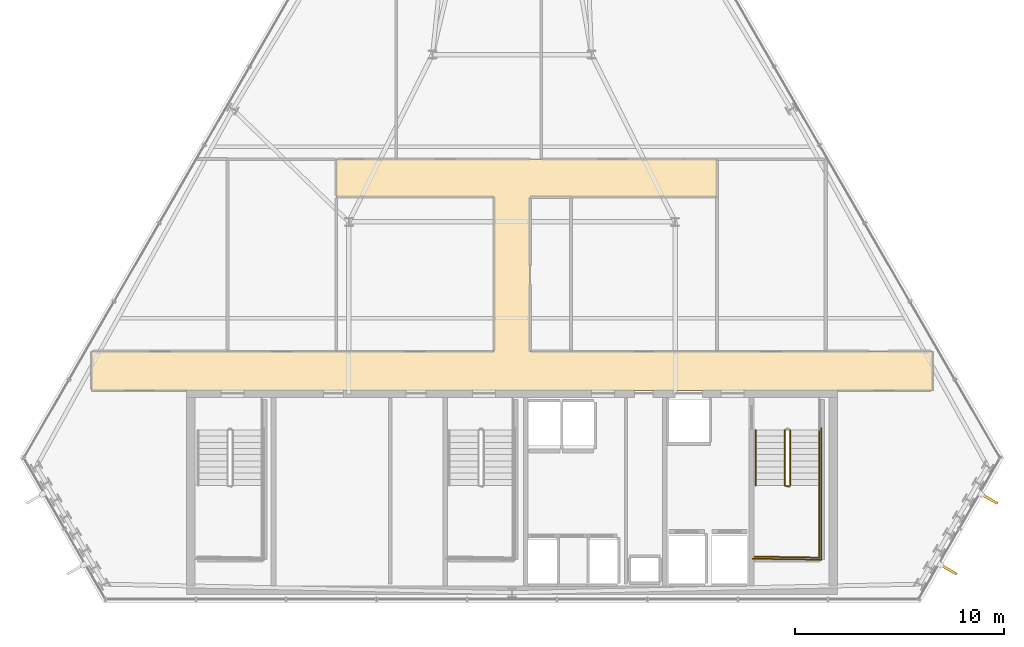
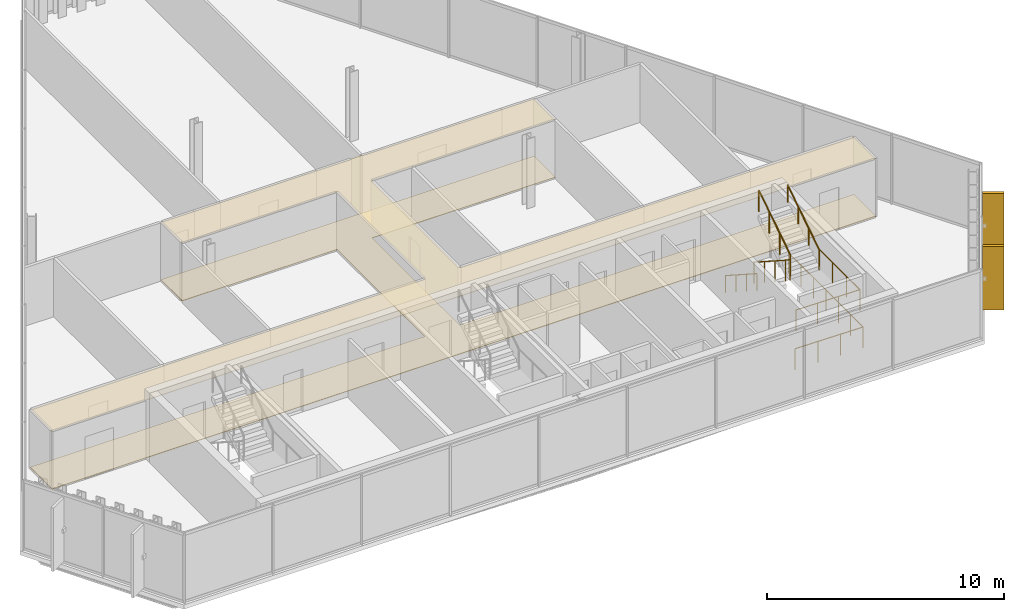
# One storey, part 28 of 30: 6 railings, 2 coverings, 2 shading devices.
"""IFC4 building model written with IfcOpenShell, lengths in metres."""

import ifcopenshell
import ifcopenshell.guid

model = None  # the IFC model being written
_history = None  # IfcOwnerHistory: only IFC2X3 demands one
_inside = {}  # id of a spatial element -> (the spatial element, [elements in it])
_under = {}  # id of a project, library or spatial element -> (it, [spatial elements below it])
_declared = {}  # id of a project -> (the project, [libraries it declares])
_typed = {}  # id of a type object -> (the type object, [elements of that type])
_made_of = {}  # id of a material, layer set ... -> (it, [elements and type objects made of it])


def new_model(schema):
    """Start an empty IFC model of exactly this schema.

    Asked for "IFC4X3", IfcOpenShell would pick the latest addendum, in which some entities
    have other attributes; the version numbers below select the first issue.
    IFC2X3 requires an IfcOwnerHistory on every rooted entity: one is made here for all.
    """
    global model, _history
    if schema == "IFC4X3":
        model = ifcopenshell.file(schema_version=(4, 3, 0, 0))
    else:
        model = ifcopenshell.file(schema=schema)
    _inside.clear()
    _under.clear()
    _declared.clear()
    _typed.clear()
    _made_of.clear()
    _history = None
    if model.schema == "IFC2X3":
        org = make("IfcOrganization", Name="unknown")
        user = make(
            "IfcPersonAndOrganization",
            ThePerson=make("IfcPerson", FamilyName="unknown"),
            TheOrganization=org,
        )
        app = make(
            "IfcApplication",
            ApplicationDeveloper=org,
            Version="unknown",
            ApplicationFullName="unknown",
            ApplicationIdentifier="unknown",
        )
        _history = make(
            "IfcOwnerHistory",
            OwningUser=user,
            OwningApplication=app,
            ChangeAction="ADDED",
            CreationDate=0,
        )
    return model


def make(cls, **values):
    """One entity of the class cls with the attributes given. An attribute that is None is left unset."""
    return model.create_entity(
        cls, **{name: value for name, value in values.items() if value is not None}
    )


def rooted(cls, **values):
    """An entity with a GlobalId (a new one), such as an element, a storey or a relation."""
    return make(cls, GlobalId=ifcopenshell.guid.new(), OwnerHistory=_history, **values)


def si_unit(unit_type, name, prefix=None):
    """IfcSIUnit, for example si_unit("LENGTHUNIT", "METRE", prefix="MILLI")."""
    return make("IfcSIUnit", UnitType=unit_type, Prefix=prefix, Name=name)


def assignment(units):
    """IfcUnitAssignment: the units of a project."""
    return None if units is None else make("IfcUnitAssignment", Units=units)


def point(xyz):
    """IfcCartesianPoint."""
    return None if xyz is None else make("IfcCartesianPoint", Coordinates=xyz)


def direction(xyz):
    """IfcDirection."""
    return None if xyz is None else make("IfcDirection", DirectionRatios=xyz)


def frame(location, z_axis=None, x_axis=None):
    """IfcAxis2Placement3D, a coordinate frame: its origin and axes. An axis left out is left unset."""
    return make(
        "IfcAxis2Placement3D",
        Location=point(location),
        Axis=direction(z_axis),
        RefDirection=direction(x_axis),
    )


def frame_2d(location, x_axis=None):
    """IfcAxis2Placement2D, a coordinate frame in the plane: its origin and x axis."""
    return make(
        "IfcAxis2Placement2D", Location=point(location), RefDirection=direction(x_axis)
    )


def origin():
    """The frame at (0, 0, 0) with its axes left unset."""
    return frame((0.0, 0.0, 0.0))


def origin_2d():
    """The frame at (0, 0) in the plane with its x axis left unset."""
    return frame_2d((0.0, 0.0))


def place(relative_to, where):
    """IfcLocalPlacement: puts the frame where relative to a parent placement (None: the world)."""
    return make(
        "IfcLocalPlacement", PlacementRelTo=relative_to, RelativePlacement=where
    )


def context(
    kind, dimensions, precision=None, world=None, true_north=None, identifier=None
):
    """IfcGeometricRepresentationContext, for example the 3D "Model" context."""
    return make(
        "IfcGeometricRepresentationContext",
        ContextIdentifier=identifier,
        ContextType=kind,
        CoordinateSpaceDimension=dimensions,
        Precision=precision,
        WorldCoordinateSystem=world,
        TrueNorth=true_north,
    )


def subcontext(parent, identifier, kind, view, scale=None):
    """IfcGeometricRepresentationSubContext, for example "Body" below "Model"."""
    return make(
        "IfcGeometricRepresentationSubContext",
        ContextIdentifier=identifier,
        ContextType=kind,
        ParentContext=parent,
        TargetScale=scale,
        TargetView=view,
    )


def project(units=None, contexts=None):
    """IfcProject with its units and contexts."""
    return rooted(
        "IfcProject",
        Name="project",
        RepresentationContexts=contexts,
        UnitsInContext=assignment(units),
    )


def spatial(cls, under=None, at=None, **own):
    """A site, building, storey or space (cls), placed at a placement, below another one or the project."""
    s = rooted(cls, ObjectPlacement=at, **own)
    if under is not None:
        _under.setdefault(under.id(), (under, []))[1].append(s)
    return s


def polyline(points):
    """IfcPolyline through the points."""
    return make("IfcPolyline", Points=[point(p) for p in points])


def profile(cls, at=None, kind="AREA", **sizes):
    """A parametric profile (cls). Its sizes go by their IFC names, for example OverallWidth=200.0."""
    return make(cls, ProfileType=kind, Position=at, **sizes)


def rectangle(**sizes):
    """IfcRectangleProfileDef."""
    return profile("IfcRectangleProfileDef", **sizes)


def circle(**sizes):
    """IfcCircleProfileDef."""
    return profile("IfcCircleProfileDef", **sizes)


def outline(outer, holes=None, kind="AREA"):
    """IfcArbitraryClosedProfileDef: a profile drawn as a closed curve; with holes, ...WithVoids."""
    if holes is None:
        return make("IfcArbitraryClosedProfileDef", ProfileType=kind, OuterCurve=outer)
    return make(
        "IfcArbitraryProfileDefWithVoids",
        ProfileType=kind,
        OuterCurve=outer,
        InnerCurves=holes,
    )


def extrude(swept, where, along, depth):
    """IfcExtrudedAreaSolid: the profile swept, set in the frame where, extruded along a direction by depth."""
    return make(
        "IfcExtrudedAreaSolid",
        SweptArea=swept,
        Position=where,
        ExtrudedDirection=direction(along),
        Depth=depth,
    )


def shape(context_of_items, identifier, shape_type, items):
    """IfcShapeRepresentation: the items that make up one representation, for example the "Body"."""
    return make(
        "IfcShapeRepresentation",
        ContextOfItems=context_of_items,
        RepresentationIdentifier=identifier,
        RepresentationType=shape_type,
        Items=items,
    )


def material(Name=None, Category=None):
    """IfcMaterial."""
    return make("IfcMaterial", Name=Name, Category=Category)


def layer(
    of_material, thickness, ventilated=None, Name=None, Category=None, Priority=None
):
    """IfcMaterialLayer: one layer of a wall or slab, of a material (None: an air gap)."""
    return make(
        "IfcMaterialLayer",
        Material=of_material,
        LayerThickness=thickness,
        IsVentilated=ventilated,
        Name=Name,
        Category=Category,
        Priority=Priority,
    )


def layer_set(layers, Name=None):
    """IfcMaterialLayerSet."""
    return make("IfcMaterialLayerSet", MaterialLayers=layers, LayerSetName=Name)


def made_of(thing, what):
    """Note that an element or type object is made of a material, layer set ...; save() writes the relation."""
    if what is not None:
        _made_of.setdefault(what.id(), (what, []))[1].append(thing)
    return thing


def type_object(cls, material=None, **own):
    """A type object (cls), such as IfcWallType, which elements share."""
    return made_of(rooted(cls, **own), material)


def element(
    cls,
    number,
    at=None,
    inside=None,
    cuts=None,
    type_object=None,
    material=None,
    context=None,
    identifier="Body",
    shape_type=None,
    held_by="IfcProductDefinitionShape",
    body=None,
    shapes=None,
    **own,
):
    """One element of the class cls, such as IfcWall. Its Tag is "e" and its number.

    at: its placement. inside: the storey or other place that contains it. cuts: it is an
    opening in that element (IfcRelVoidsElement). A single representation is given by context,
    identifier, shape_type and body (its items); several are given by shapes. held_by: the class
    of the entity that holds the representations. save() writes the other relations.
    """
    e = rooted(cls, Tag="e%d" % number, ObjectPlacement=at, **own)
    if body is not None:
        shapes = [shape(context, identifier, shape_type, body)]
    if shapes is not None:
        e.Representation = make(held_by, Representations=shapes)
    if inside is not None:
        _inside.setdefault(inside.id(), (inside, []))[1].append(e)
    if cuts is not None:
        rooted(
            "IfcRelVoidsElement", RelatingBuildingElement=cuts, RelatedOpeningElement=e
        )
    if type_object is not None:
        _typed.setdefault(type_object.id(), (type_object, []))[1].append(e)
    return made_of(e, material)


def aggregate(whole, parts):
    """IfcRelAggregates: a whole, such as a stair, and the parts it consists of."""
    return rooted("IfcRelAggregates", RelatingObject=whole, RelatedObjects=parts)


def save(model, path):
    """Write the relations noted so far, then the file.

    IfcRelAggregates (storeys below a building ...), IfcRelContainedInSpatialStructure (elements
    in a storey), IfcRelDefinesByType, IfcRelAssociatesMaterial and IfcRelDeclares: one each for
    every whole, place, type object, material and project.
    """
    for whole, parts in _under.values():
        aggregate(whole, parts)
    for where, things in _inside.values():
        rooted(
            "IfcRelContainedInSpatialStructure",
            RelatedElements=things,
            RelatingStructure=where,
        )
    for kind, things in _typed.values():
        rooted("IfcRelDefinesByType", RelatedObjects=things, RelatingType=kind)
    for what, things in _made_of.values():
        rooted("IfcRelAssociatesMaterial", RelatedObjects=things, RelatingMaterial=what)
    for by, libraries in _declared.values():
        rooted("IfcRelDeclares", RelatingContext=by, RelatedDefinitions=libraries)
    model.write(path)


model = new_model("IFC4")

# Units and contexts
model_context = context("Model", 3, precision=1e-05, world=origin(), true_north=direction((0.0, 1.0)))
body_context = subcontext(model_context, "Body", "Model", "MODEL_VIEW")
ifc_project = project(units=[si_unit("LENGTHUNIT", "METRE"), si_unit("AREAUNIT", "SQUARE_METRE"), si_unit("VOLUMEUNIT", "CUBIC_METRE"), si_unit("PLANEANGLEUNIT", "RADIAN"), si_unit("MASSUNIT", "GRAM", prefix="KILO")], contexts=[model_context])

# Site, building, storey
site_placement = place(None, origin())
site = spatial("IfcSite", under=ifc_project, at=site_placement, CompositionType="ELEMENT")
building_placement = place(site_placement, origin())
building = spatial("IfcBuilding", under=site, at=building_placement, Name="Ndaravel Arena Tower", CompositionType="ELEMENT")
storey_placement = place(building_placement, frame((0.0, 0.0, 221.800048828125)))
storey = spatial("IfcBuildingStorey", under=building, at=storey_placement, Name="L53", CompositionType="ELEMENT", Elevation=221.800048828125)

# Coverings
ifc_material_1 = material(Name="Acoustic Ceiling Tile", Category="finish")
ifc_layer_1 = layer(ifc_material_1, 0.02490234375)
ifc_layer_set_1 = layer_set([ifc_layer_1], Name="Acoustic Ceiling Tile")
covering_type_1 = type_object("IfcCoveringType", Name="COV-CEIL-AC600", PredefinedType="CEILING", material=ifc_layer_set_1)
covering_1_placement = place(storey_placement, frame((0.0, 0.0, 2.98046875)))
element("IfcCovering", 1, at=covering_1_placement, inside=storey, type_object=covering_type_1, Name="L53 Corridor Acoustic Ceiling", PredefinedType="CEILING", context=body_context, shape_type="SweptSolid", body=[
    extrude(outline(polyline([(62.091064453125, 17.0), (42.85009765625, 17.0), (42.85009765625, 24.39990234375), (51.800048828125, 24.39990234375), (51.800048828125, 26.199951171875), (42.85009765625, 26.199951171875), (41.14990234375, 26.199951171875), (33.60009765625, 26.199951171875), (33.60009765625, 24.39990234375), (41.14990234375, 24.39990234375), (41.14990234375, 17.0), (21.908935546875, 17.0), (21.908935546875, 15.14990234375), (62.091064453125, 15.14990234375), (62.091064453125, 17.0)])), origin(), (0.0, 0.0, 1.0), 0.02490234375),
])
ifc_material_2 = material(Name="Terrazzo", Category="stone")
ifc_layer_2 = layer(ifc_material_2, 0.030029296875)
ifc_layer_set_2 = layer_set([ifc_layer_2], Name="Terrazzo")
covering_type_2 = type_object("IfcCoveringType", Name="COV-FLOOR-TERRAZZO", PredefinedType="FLOORING", material=ifc_layer_set_2)
covering_2_placement = place(storey_placement, origin())
element("IfcCovering", 2, at=covering_2_placement, inside=storey, type_object=covering_type_2, Name="L53 Corridor Terrazzo Flooring", PredefinedType="FLOORING", context=body_context, shape_type="SweptSolid", body=[
    extrude(outline(polyline([(62.091064453125, 17.0), (42.85009765625, 17.0), (42.85009765625, 24.39990234375), (51.800048828125, 24.39990234375), (51.800048828125, 26.199951171875), (42.85009765625, 26.199951171875), (41.14990234375, 26.199951171875), (33.60009765625, 26.199951171875), (33.60009765625, 24.39990234375), (41.14990234375, 24.39990234375), (41.14990234375, 17.0), (21.908935546875, 17.0), (21.908935546875, 15.14990234375), (62.091064453125, 15.14990234375), (62.091064453125, 17.0)])), origin(), (0.0, 0.0, 1.0), 0.030029296875),
])

# Railings
ifc_material_3 = material(Name="Steel S355", Category="steel")
ifc_layer_3 = layer(ifc_material_3, 0.06005859375)
ifc_layer_set_3 = layer_set([ifc_layer_3], Name="Steel S355")
railing_type_1 = type_object("IfcRailingType", Name="RAIL-STAIR-GD1100", PredefinedType="GUARDRAIL", material=ifc_layer_set_3)
railing_1_placement = place(storey_placement, frame((55.050048828125, 13.25, 0.18994140625)))
element("IfcRailing", 3, at=railing_1_placement, inside=storey, type_object=railing_type_1, Name="L53 ST-3 stair guard 1", PredefinedType="GUARDRAIL", context=body_context, shape_type="SweptSolid", body=[
    extrude(circle(Radius=0.02392578125, at=origin_2d()), frame((0.0, 0.0, 1.076171875), z_axis=(0.0, -0.840723540582, 0.54146461409), x_axis=(1.0, 0.0, 0.0)), (0.0, 0.0, 1.0), 3.157958984375),
    extrude(circle(Radius=0.02392578125, at=origin_2d()), frame((0.0, -2.655029296875, 2.7861328125), z_axis=(0.966993988697, -0.254799187253, 0.0), x_axis=(0.254799187253, 0.966993988697, 0.0)), (0.0, 0.0, 1.0), 0.196533203125),
    extrude(circle(Radius=0.02099609375, at=origin_2d()), origin(), (0.0, 0.0, 1.0), 1.052001953125),
    extrude(circle(Radius=0.02099609375, at=origin_2d()), frame((0.0, -0.885009765625, 0.570068359375)), (0.0, 0.0, 1.0), 1.052001953125),
    extrude(circle(Radius=0.02099609375, at=origin_2d()), frame((0.0, -1.77001953125, 1.139892578125)), (0.0, 0.0, 1.0), 1.052001953125),
    extrude(circle(Radius=0.02099609375, at=origin_2d()), frame((0.0, -2.655029296875, 1.7099609375)), (0.0, 0.0, 1.0), 1.052001953125),
    extrude(circle(Radius=0.02099609375, at=origin_2d()), frame((0.18994140625, -2.705078125, 1.7099609375)), (0.0, 0.0, 1.0), 1.052001953125),
])
railing_2_placement = place(storey_placement, frame((56.68994140625, 10.594970703125, 1.89990234375)))
element("IfcRailing", 4, at=railing_2_placement, inside=storey, type_object=railing_type_1, Name="L53 ST-3 stair guard 2", PredefinedType="GUARDRAIL", context=body_context, shape_type="SweptSolid", body=[
    extrude(circle(Radius=0.02392578125, at=origin_2d()), frame((0.0, 0.0, 1.076171875), z_axis=(0.0, -1.0, 0.0), x_axis=(1.0, 0.0, 0.0)), (0.0, 0.0, 1.0), 3.445068359375),
    extrude(circle(Radius=0.02392578125, at=origin_2d()), frame((0.0, -3.445068359375, 1.076171875), z_axis=(-0.999868840623, 0.016195726322, 0.0), x_axis=(-0.016195726322, -0.999868840623, 0.0)), (0.0, 0.0, 1.0), 3.09033203125),
    extrude(circle(Radius=0.02099609375, at=origin_2d()), origin(), (0.0, 0.0, 1.0), 1.052001953125),
    extrude(circle(Radius=0.02099609375, at=origin_2d()), frame((0.0, -1.1484375, 0.0)), (0.0, 0.0, 1.0), 1.052001953125),
    extrude(circle(Radius=0.02099609375, at=origin_2d()), frame((0.0, -2.296630859375, 0.0)), (0.0, 0.0, 1.0), 1.052001953125),
    extrude(circle(Radius=0.02099609375, at=origin_2d()), frame((0.0, -3.445068359375, 0.0)), (0.0, 0.0, 1.0), 1.052001953125),
    extrude(circle(Radius=0.02099609375, at=origin_2d()), frame((-1.030029296875, -3.428466796875, 0.0)), (0.0, 0.0, 1.0), 1.052001953125),
    extrude(circle(Radius=0.02099609375, at=origin_2d()), frame((-2.059814453125, -3.41162109375, 0.0)), (0.0, 0.0, 1.0), 1.052001953125),
    extrude(circle(Radius=0.02099609375, at=origin_2d()), frame((-3.08984375, -3.39501953125, 0.0)), (0.0, 0.0, 1.0), 1.052001953125),
])
railing_3_placement = place(storey_placement, frame((55.2900390625, 10.594970703125, 2.08984375)))
element("IfcRailing", 5, at=railing_3_placement, inside=storey, type_object=railing_type_1, Name="L53 ST-3 stair guard 3", PredefinedType="GUARDRAIL", context=body_context, shape_type="SweptSolid", body=[
    extrude(circle(Radius=0.02392578125, at=origin_2d()), frame((0.0, 0.0, 1.076171875), z_axis=(0.0, 0.840688348013, 0.541519253134), x_axis=(-1.0, 0.0, 0.0)), (0.0, 0.0, 1.0), 3.158203125),
    extrude(circle(Radius=0.02099609375, at=origin_2d()), origin(), (0.0, 0.0, 1.0), 1.052001953125),
    extrude(circle(Radius=0.02099609375, at=origin_2d()), frame((0.0, 0.885009765625, 0.570068359375)), (0.0, 0.0, 1.0), 1.052001953125),
    extrude(circle(Radius=0.02099609375, at=origin_2d()), frame((0.0, 1.77001953125, 1.14013671875)), (0.0, 0.0, 1.0), 1.052001953125),
    extrude(circle(Radius=0.02099609375, at=origin_2d()), frame((0.0, 2.655029296875, 1.710205078125)), (0.0, 0.0, 1.0), 1.052001953125),
])
railing_4_placement = place(storey_placement, frame((56.7900390625, 13.35009765625, 0.0)))
element("IfcRailing", 6, at=railing_4_placement, inside=storey, type_object=railing_type_1, Name="L53 ST-3 stair guard 6", PredefinedType="GUARDRAIL", context=body_context, shape_type="SweptSolid", body=[
    extrude(circle(Radius=0.02392578125, at=origin_2d()), frame((0.0, 0.0, 1.076171875), z_axis=(0.0, -1.0, 0.0), x_axis=(1.0, 0.0, 0.0)), (0.0, 0.0, 1.0), 6.300048828125),
    extrude(circle(Radius=0.02392578125, at=origin_2d()), frame((0.0, -6.300048828125, 1.076171875), z_axis=(-0.99988431412, 0.015210469308, 0.0), x_axis=(-0.015210469308, -0.99988431412, 0.0)), (0.0, 0.0, 1.0), 3.29052734375),
    extrude(circle(Radius=0.02099609375, at=origin_2d()), origin(), (0.0, 0.0, 1.0), 1.052001953125),
    extrude(circle(Radius=0.02099609375, at=origin_2d()), frame((0.0, -1.050048828125, 0.0)), (0.0, 0.0, 1.0), 1.052001953125),
    extrude(circle(Radius=0.02099609375, at=origin_2d()), frame((0.0, -2.10009765625, 0.0)), (0.0, 0.0, 1.0), 1.052001953125),
    extrude(circle(Radius=0.02099609375, at=origin_2d()), frame((0.0, -3.14990234375, 0.0)), (0.0, 0.0, 1.0), 1.052001953125),
    extrude(circle(Radius=0.02099609375, at=origin_2d()), frame((0.0, -4.199951171875, 0.0)), (0.0, 0.0, 1.0), 1.052001953125),
    extrude(circle(Radius=0.02099609375, at=origin_2d()), frame((0.0, -5.25, 0.0)), (0.0, 0.0, 1.0), 1.052001953125),
    extrude(circle(Radius=0.02099609375, at=origin_2d()), frame((0.0, -6.300048828125, 0.0)), (0.0, 0.0, 1.0), 1.052001953125),
    extrude(circle(Radius=0.02099609375, at=origin_2d()), frame((-1.0966796875, -6.283447265625, 0.0)), (0.0, 0.0, 1.0), 1.052001953125),
    extrude(circle(Radius=0.02099609375, at=origin_2d()), frame((-2.193359375, -6.2666015625, 0.0)), (0.0, 0.0, 1.0), 1.052001953125),
    extrude(circle(Radius=0.02099609375, at=origin_2d()), frame((-3.2900390625, -6.25, 0.0)), (0.0, 0.0, 1.0), 1.052001953125),
])
ifc_material_4 = material(Name="Steel S355", Category="steel")
ifc_layer_4 = layer(ifc_material_4, 0.050048828125)
ifc_layer_set_4 = layer_set([ifc_layer_4], Name="Steel S355")
railing_type_2 = type_object("IfcRailingType", Name="RAIL-STAIR-HR920", PredefinedType="HANDRAIL", material=ifc_layer_set_4)
railing_5_placement = place(storey_placement, frame((53.64990234375, 13.25, 0.18994140625)))
element("IfcRailing", 7, at=railing_5_placement, inside=storey, type_object=railing_type_2, Name="L53 ST-3 stair handrail 1", PredefinedType="HANDRAIL", context=body_context, shape_type="SweptSolid", body=[
    extrude(circle(Radius=0.02392578125, at=origin_2d()), frame((0.0, 0.0, 0.8759765625), z_axis=(0.0, -0.840723540582, 0.54146461409), x_axis=(1.0, 0.0, 0.0)), (0.0, 0.0, 1.0), 3.157958984375),
    extrude(circle(Radius=0.02099609375, at=origin_2d()), origin(), (0.0, 0.0, 1.0), 0.851806640625),
    extrude(circle(Radius=0.02099609375, at=origin_2d()), frame((0.0, -0.885009765625, 0.570068359375)), (0.0, 0.0, 1.0), 0.851806640625),
    extrude(circle(Radius=0.02099609375, at=origin_2d()), frame((0.0, -1.77001953125, 1.139892578125)), (0.0, 0.0, 1.0), 0.851806640625),
    extrude(circle(Radius=0.02099609375, at=origin_2d()), frame((0.0, -2.655029296875, 1.7099609375)), (0.0, 0.0, 1.0), 0.851806640625),
])
railing_6_placement = place(storey_placement, frame((56.68994140625, 10.594970703125, 2.08984375)))
element("IfcRailing", 8, at=railing_6_placement, inside=storey, type_object=railing_type_2, Name="L53 ST-3 stair handrail 2", PredefinedType="HANDRAIL", context=body_context, shape_type="SweptSolid", body=[
    extrude(circle(Radius=0.02392578125, at=origin_2d()), frame((0.0, 0.0, 0.8759765625), z_axis=(0.0, 0.840688348013, 0.541519253134), x_axis=(-1.0, 0.0, 0.0)), (0.0, 0.0, 1.0), 3.158203125),
    extrude(circle(Radius=0.02099609375, at=origin_2d()), origin(), (0.0, 0.0, 1.0), 0.851806640625),
    extrude(circle(Radius=0.02099609375, at=origin_2d()), frame((0.0, 0.885009765625, 0.570068359375)), (0.0, 0.0, 1.0), 0.851806640625),
    extrude(circle(Radius=0.02099609375, at=origin_2d()), frame((0.0, 1.77001953125, 1.14013671875)), (0.0, 0.0, 1.0), 0.851806640625),
    extrude(circle(Radius=0.02099609375, at=origin_2d()), frame((0.0, 2.655029296875, 1.710205078125)), (0.0, 0.0, 1.0), 0.851806640625),
])

# Shading devices
ifc_material_5 = material(Name="Masonry", Category="masonry")
shading_device_type = type_object("IfcShadingDeviceType", Name="SHD-MAZERAS-FIN", PredefinedType="SHUTTER", material=ifc_material_5)
for number, where, z_axis, x_axis, name in (
    (9, (62.87109375, 6.58251953125, 0.14990234375), (0.0, 0.0, 1.0), (0.866025403784, -0.5, 0.0), "L53 Mazeras Stone Solar Fin E2.1"),
    (10, (64.822021484375, 9.961669921875, 0.14990234375), (0.0, 0.0, 1.0), (0.866025403784, -0.5, 0.0), "L53 Mazeras Stone Solar Fin E2.2"),
):
    element("IfcShadingDevice", number, at=place(storey_placement, frame(where, z_axis=z_axis, x_axis=x_axis)), inside=storey, type_object=shading_device_type, Name=name, PredefinedType="SHUTTER", context=body_context, shape_type="SweptSolid", body=[
        extrude(rectangle(XDim=0.89990234375, YDim=0.1201171875, at=origin_2d()), origin(), (0.0, 0.0, 1.0), 3.280029296875),
    ])

save(model, "model.ifc")
